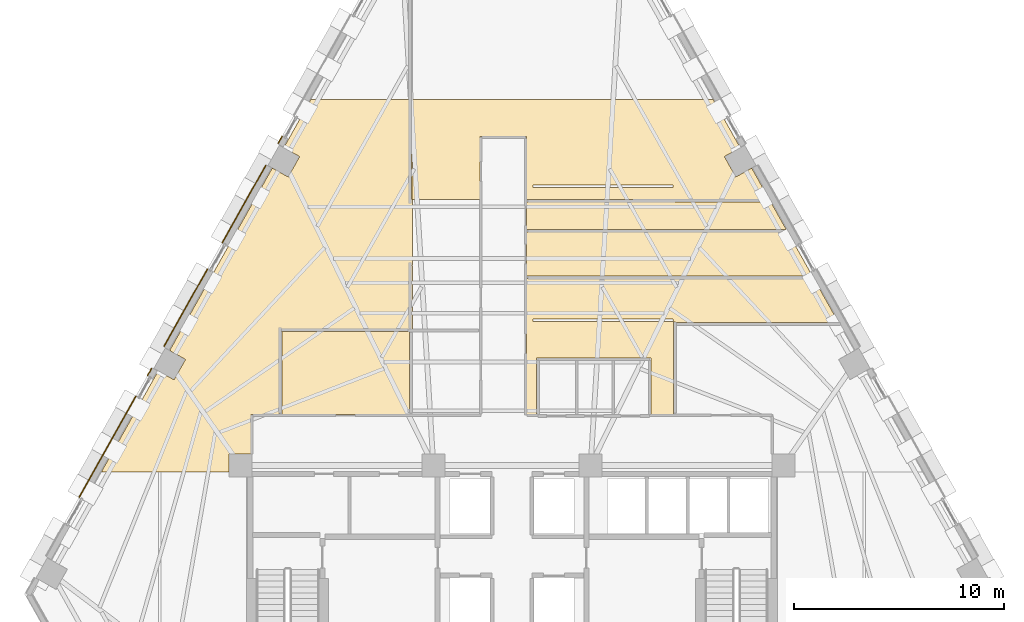
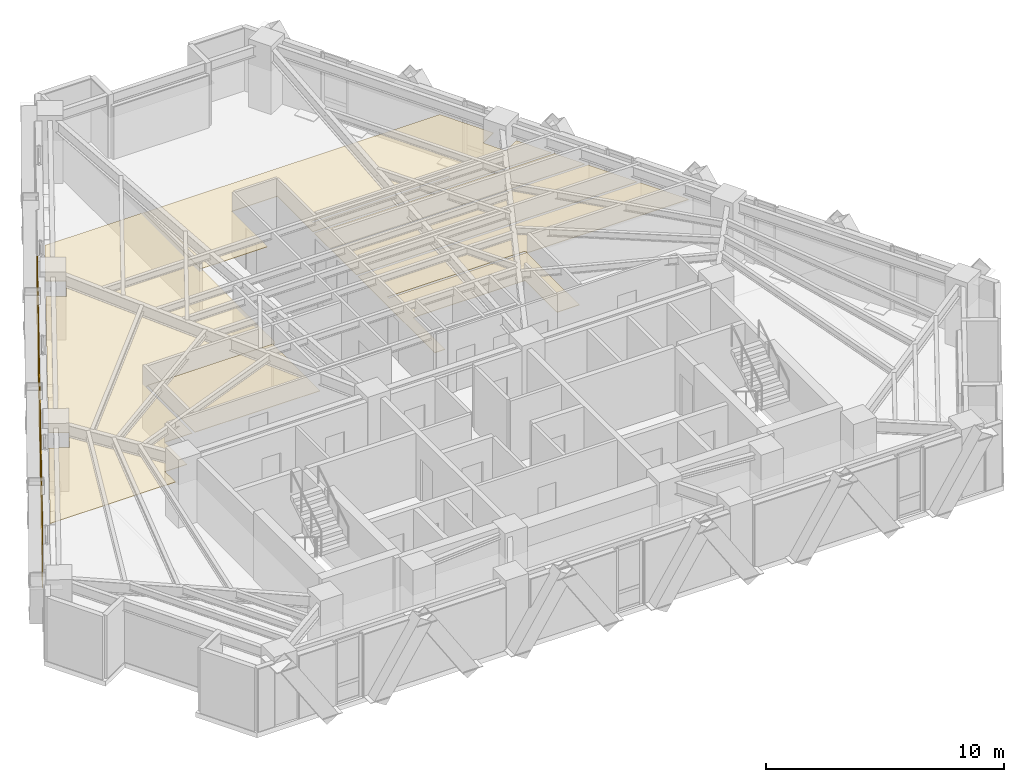
# One storey, part 11 of 13: 11 coverings.
"""IFC4 building model written with IfcOpenShell, lengths in metres."""

from ifc_helpers import new_model, si_unit, direction, frame, origin, place, context, subcontext, project, spatial, polyline, outline, extrude, material, layer, layer_set, type_object, element, save


model = new_model("IFC4")

# Units and contexts
model_context = context("Model", 3, precision=1e-05, world=origin(), true_north=direction((0.0, 1.0)))
body_context = subcontext(model_context, "Body", "Model", "MODEL_VIEW")
ifc_project = project(units=[si_unit("LENGTHUNIT", "METRE"), si_unit("AREAUNIT", "SQUARE_METRE"), si_unit("VOLUMEUNIT", "CUBIC_METRE"), si_unit("PLANEANGLEUNIT", "RADIAN"), si_unit("MASSUNIT", "GRAM", prefix="KILO")], contexts=[model_context])

# Site, building, storey
site_placement = place(None, origin())
site = spatial("IfcSite", under=ifc_project, at=site_placement, CompositionType="ELEMENT")
building_placement = place(site_placement, origin())
building = spatial("IfcBuilding", under=site, at=building_placement, Name="Quenlor Broadcast Tower", CompositionType="ELEMENT")
storey_placement = place(building_placement, frame((0.0, 0.0, 116.0)))
storey = spatial("IfcBuildingStorey", under=building, at=storey_placement, Name="L31", CompositionType="ELEMENT", Elevation=116.0)

# Coverings
ifc_material_1 = material(Name="Acoustic Mineral Fibre Board", Category="other")
ifc_layer_1 = layer(ifc_material_1, 0.02490234375)
ifc_layer_set_1 = layer_set([ifc_layer_1], Name="Acoustic Perforated Mineral Tile Ceiling 25")
covering_type_1 = type_object("IfcCoveringType", Name="Acoustic Perforated Mineral Tile Ceiling 25", PredefinedType="CEILING", material=ifc_layer_set_1)
covering_1_placement = place(storey_placement, frame((0.0, 0.0, 2.22509765625)))
element("IfcCovering", 1, at=covering_1_placement, inside=storey, type_object=covering_type_1, Name="L31 Acoustic Ceiling L31-28", PredefinedType="CEILING", context=body_context, shape_type="SweptSolid", body=[
    extrude(outline(polyline([(10.883544921875, 10.35791015625), (10.126953125, 9.9326171875), (10.674072265625, 8.959716796875), (11.4306640625, 9.38525390625), (12.27490234375, 7.884521484375), (0.679931640625, 7.884521484375), (0.679931640625, 10.8798828125), (-1.52001953125, 10.8798828125), (-1.52001953125, 7.884521484375), (-4.780029296875, 7.884521484375), (-4.780029296875, 12.64990234375), (9.59423828125, 12.64990234375), (10.883544921875, 10.35791015625)]), holes=[polyline([(7.669921875, 8.580078125), (1.0, 8.580078125), (1.0, 8.4599609375), (7.669921875, 8.4599609375), (7.6728515625, 8.4892578125), (7.681396484375, 8.522705078125), (7.6728515625, 8.55078125), (7.669921875, 8.580078125)])]), origin(), (0.0, 0.0, 1.0), 0.02490234375),
])
covering_2_placement = place(storey_placement, frame((0.0, 0.0, 2.22509765625)))
element("IfcCovering", 2, at=covering_2_placement, inside=storey, type_object=covering_type_1, Name="L31 Acoustic Ceiling L31-29", PredefinedType="CEILING", context=body_context, shape_type="SweptSolid", body=[
    extrude(outline(polyline([(12.34228515625, 7.7646484375), (13.075927734375, 6.46044921875), (0.679931640625, 6.46044921875), (0.679931640625, 7.7646484375), (12.34228515625, 7.7646484375)])), origin(), (0.0, 0.0, 1.0), 0.02490234375),
])
covering_3_placement = place(storey_placement, frame((0.0, 0.0, 2.22509765625)))
element("IfcCovering", 3, at=covering_3_placement, inside=storey, type_object=covering_type_1, Name="L31 Acoustic Ceiling L31-30", PredefinedType="CEILING", context=body_context, shape_type="SweptSolid", body=[
    extrude(outline(polyline([(13.1435546875, 6.34033203125), (14.32763671875, 4.235107421875), (0.679931640625, 4.235107421875), (0.679931640625, 6.34033203125), (13.1435546875, 6.34033203125)])), origin(), (0.0, 0.0, 1.0), 0.02490234375),
])
covering_4_placement = place(storey_placement, frame((0.0, 0.0, 2.22509765625)))
element("IfcCovering", 4, at=covering_4_placement, inside=storey, type_object=covering_type_1, Name="L31 Acoustic Ceiling L31-32", PredefinedType="CEILING", context=body_context, shape_type="SweptSolid", body=[
    extrude(outline(polyline([(7.820068359375, 2.030029296875), (7.790771484375, 2.032958984375), (7.7626953125, 2.04150390625), (7.73681640625, 2.055419921875), (7.7138671875, 2.073974609375), (7.6953125, 2.0966796875), (7.681396484375, 2.12255859375), (7.6728515625, 2.150634765625), (7.669921875, 2.179931640625), (1.0, 2.179931640625), (1.0, 2.06005859375), (7.699951171875, 2.06005859375), (7.699951171875, -2.3701171875), (6.6201171875, -2.3701171875), (6.6201171875, 0.320068359375), (1.179931640625, 0.320068359375), (1.179931640625, -2.3701171875), (0.679931640625, -2.3701171875), (0.679931640625, 4.114990234375), (14.395263671875, 4.114990234375), (15.55712890625, 2.04931640625), (15.527587890625, 2.03662109375), (15.49853515625, 2.03076171875), (7.820068359375, 2.030029296875)])), origin(), (0.0, 0.0, 1.0), 0.02490234375),
])
covering_5_placement = place(storey_placement, frame((0.0, 0.0, 2.22509765625)))
element("IfcCovering", 5, at=covering_5_placement, inside=storey, type_object=covering_type_1, Name="L31 Acoustic Ceiling L31-33", PredefinedType="CEILING", context=body_context, shape_type="SweptSolid", body=[
    extrude(outline(polyline([(-4.89990234375, -2.3701171875), (-10.97998046875, -2.3701171875), (-10.97998046875, 1.590087890625), (-4.89990234375, 1.590087890625), (-4.89990234375, -2.3701171875)])), origin(), (0.0, 0.0, 1.0), 0.02490234375),
])
covering_6_placement = place(storey_placement, frame((0.0, 0.0, 2.22509765625)))
element("IfcCovering", 6, at=covering_6_placement, inside=storey, type_object=covering_type_1, Name="L31 Acoustic Ceiling L31-35", PredefinedType="CEILING", context=body_context, shape_type="SweptSolid", body=[
    extrude(outline(polyline([(-10.126953125, 9.9326171875), (-10.883544921875, 10.35791015625), (-9.59423828125, 12.64990234375), (-4.75, 12.64990234375), (-4.75, 4.81005859375), (-4.7529296875, 4.78076171875), (-4.761474609375, 4.752685546875), (-4.756591796875, 4.7333984375), (-4.750732421875, 4.70458984375), (-4.75, 1.7099609375), (-4.7529296875, 1.6806640625), (-4.761474609375, 1.652587890625), (-4.775390625, 1.626708984375), (-4.7939453125, 1.60400390625), (-4.816650390625, 1.585205078125), (-4.842529296875, 1.5712890625), (-4.87060546875, 1.56298828125), (-4.89990234375, 1.56005859375), (-10.97998046875, 1.56005859375), (-11.00927734375, 1.56298828125), (-11.037353515625, 1.5712890625), (-11.056396484375, 1.56640625), (-11.085205078125, 1.560791015625), (-11.10009765625, -2.3701171875), (-12.43994140625, -2.3701171875), (-12.43994140625, -4.241943359375), (-13.508056640625, -4.241943359375), (-13.508056640625, -5.1201171875), (-16.739990234375, -5.1201171875), (-16.860107421875, -5.1201171875), (-19.58984375, -5.1201171875), (-16.873779296875, -0.29150390625), (-16.1171875, -0.717041015625), (-15.5703125, 0.255615234375), (-16.32666015625, 0.68115234375), (-15.821533203125, 1.579345703125), (-15.10498046875, 2.852783203125), (-14.68798828125, 3.59423828125), (-14.24267578125, 4.38623046875), (-14.077880859375, 4.679443359375), (-11.4306640625, 9.38525390625), (-10.674072265625, 8.959716796875), (-10.126953125, 9.9326171875)])), origin(), (0.0, 0.0, 1.0), 0.02490234375),
])
ifc_material_2 = material(Name="Architectural Terracotta Ceramic", Category="masonry")
ifc_layer_2 = layer(ifc_material_2, 0.044921875)
ifc_layer_set_2 = layer_set([ifc_layer_2], Name="Fluted Terracotta Rainscreen Cladding Panel")
covering_type_2 = type_object("IfcCoveringType", Name="Fluted Terracotta Rainscreen Cladding Panel", PredefinedType="CLADDING", material=ifc_layer_set_2)
covering_7_placement = place(storey_placement, frame((0.0, 0.0, 0.02001953125)))
element("IfcCovering", 7, at=covering_7_placement, inside=storey, type_object=covering_type_2, Name="L31 Terracotta Rainscreen Cladding L31-NWA-SP2", PredefinedType="CLADDING", context=body_context, shape_type="SweptSolid", body=[
    extrude(outline(polyline([(-20.62744140625, -6.328369140625), (-17.912841796875, -1.502197265625), (-17.951904296875, -1.47998046875), (-20.666748046875, -6.306396484375), (-20.62744140625, -6.328369140625)])), origin(), (0.0, 0.0, 1.0), 3.2099609375),
])
covering_8_placement = place(storey_placement, frame((0.0, 0.0, 0.02001953125)))
element("IfcCovering", 8, at=covering_8_placement, inside=storey, type_object=covering_type_2, Name="L31 Terracotta Rainscreen Cladding L31-NWA-SP3", PredefinedType="CLADDING", context=body_context, shape_type="SweptSolid", body=[
    extrude(outline(polyline([(-17.36474609375, -0.528076171875), (-17.168701171875, -0.179443359375), (-17.2080078125, -0.157470703125), (-17.404052734375, -0.506103515625), (-17.36474609375, -0.528076171875)])), origin(), (0.0, 0.0, 1.0), 3.2099609375),
])
covering_9_placement = place(storey_placement, frame((0.0, 0.0, 0.02001953125)))
element("IfcCovering", 9, at=covering_9_placement, inside=storey, type_object=covering_type_2, Name="L31 Terracotta Rainscreen Cladding L31-NWC-SP1", PredefinedType="CLADDING", context=body_context, shape_type="SweptSolid", body=[
    extrude(outline(polyline([(-11.13232421875, 10.552001953125), (-10.936279296875, 10.900634765625), (-10.9755859375, 10.922607421875), (-11.171630859375, 10.57421875), (-11.13232421875, 10.552001953125)])), origin(), (0.0, 0.0, 1.0), 3.2099609375),
])
covering_10_placement = place(storey_placement, frame((0.0, 0.0, 0.02001953125)))
element("IfcCovering", 10, at=covering_10_placement, inside=storey, type_object=covering_type_2, Name="L31 Terracotta Rainscreen Cladding L31-NW-SP1", PredefinedType="CLADDING", context=body_context, shape_type="SweptSolid", body=[
    extrude(outline(polyline([(-16.577880859375, 0.870849609375), (-14.499755859375, 4.565673828125), (-14.538818359375, 4.587646484375), (-16.6171875, 0.892822265625), (-16.577880859375, 0.870849609375)])), origin(), (0.0, 0.0, 1.0), 3.2099609375),
])
covering_11_placement = place(storey_placement, frame((0.0, 0.0, 0.02001953125)))
element("IfcCovering", 11, at=covering_11_placement, inside=storey, type_object=covering_type_2, Name="L31 Terracotta Rainscreen Cladding L31-NW-SP2", PredefinedType="CLADDING", context=body_context, shape_type="SweptSolid", body=[
    extrude(outline(polyline([(-13.801513671875, 5.806884765625), (-11.72314453125, 9.501708984375), (-11.76220703125, 9.523681640625), (-13.8408203125, 5.8291015625), (-13.801513671875, 5.806884765625)])), origin(), (0.0, 0.0, 1.0), 3.2099609375),
])

save(model, "model.ifc")
